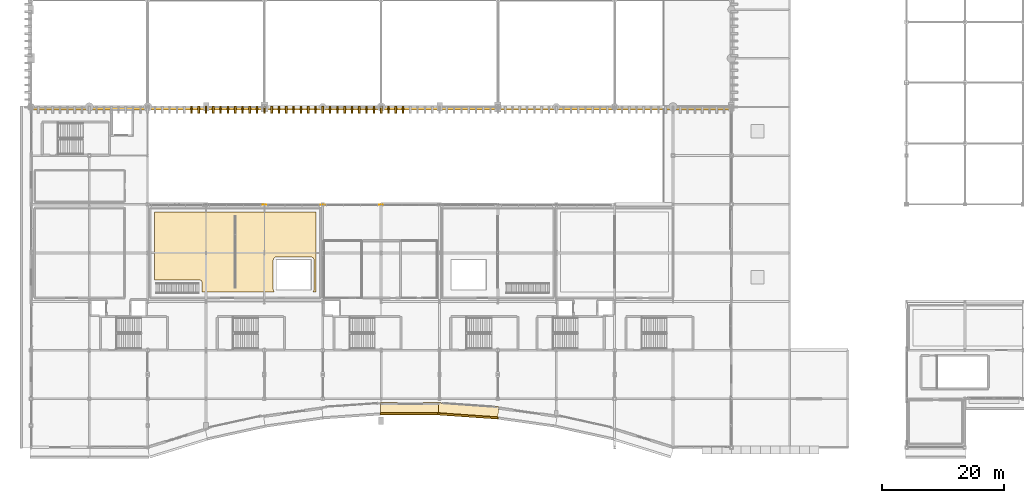
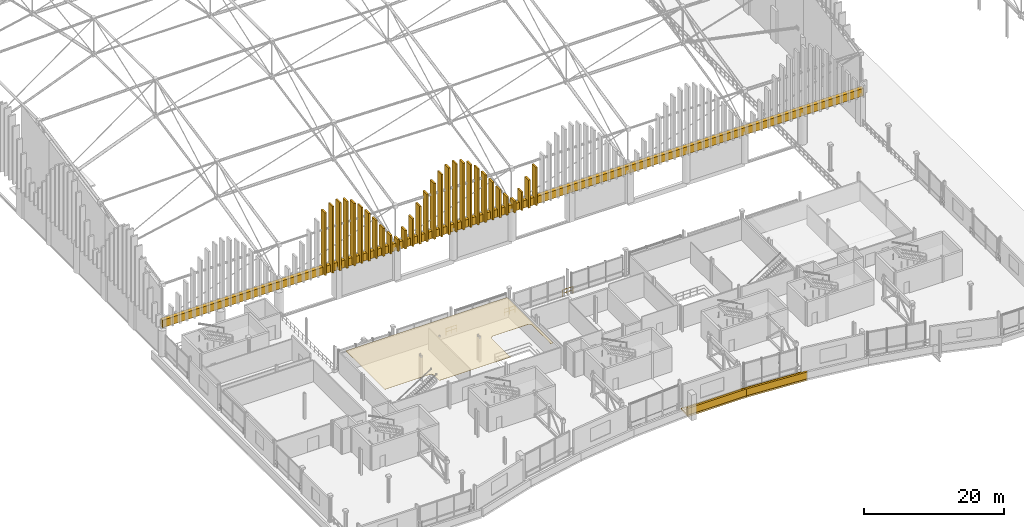
# One storey, part 177 of 193: 36 coverings, 3 railings.
"""IFC4 building model written with IfcOpenShell, lengths in metres."""

from ifc_helpers import new_model, si_unit, direction, frame, origin, origin_2d, place, context, subcontext, project, spatial, polyline, rectangle, circle, outline, extrude, material, layer, layer_set, type_object, element, save


model = new_model("IFC4")

# Units and contexts
model_context = context("Model", 3, precision=1e-05, world=origin(), true_north=direction((0.0, 1.0)))
body_context = subcontext(model_context, "Body", "Model", "MODEL_VIEW")
ifc_project = project(units=[si_unit("LENGTHUNIT", "METRE"), si_unit("AREAUNIT", "SQUARE_METRE"), si_unit("VOLUMEUNIT", "CUBIC_METRE"), si_unit("PLANEANGLEUNIT", "RADIAN"), si_unit("MASSUNIT", "GRAM", prefix="KILO")], contexts=[model_context])

# Site, building, storey
site_placement = place(None, origin())
site = spatial("IfcSite", under=ifc_project, at=site_placement, CompositionType="ELEMENT")
building_placement = place(site_placement, origin())
building = spatial("IfcBuilding", under=site, at=building_placement, Name="Danafjord Basin Convention Centre", CompositionType="ELEMENT")
storey_placement = place(building_placement, frame((0.0, 0.0, 11.39990234375)))
storey = spatial("IfcBuildingStorey", under=building, at=storey_placement, Name="L02", CompositionType="ELEMENT", Elevation=11.39990234375)

# Coverings
ifc_material_1 = material(Name="Architectural white precast concrete C45/55", Category="concrete")
ifc_layer_1 = layer(ifc_material_1, 0.320068359375)
ifc_layer_set_1 = layer_set([ifc_layer_1], Name="Architectural white precast concrete C45/55")
covering_type_1 = type_object("IfcCoveringType", Name="COV-BAND-HORIZ", PredefinedType="CLADDING", material=ifc_layer_set_1)
covering_1_placement = place(storey_placement, frame((57.60009765625, 55.840087890625, 5.0), z_axis=(0.0, 0.0, 1.0), x_axis=(1.0, 0.0, 0.0)))
element("IfcCovering", 1, at=covering_1_placement, inside=storey, type_object=covering_type_1, Name="V1 S mountain-ridge fin screen structural carrier fascia", PredefinedType="CLADDING", context=body_context, shape_type="SweptSolid", body=[
    extrude(rectangle(XDim=115.60009765625, YDim=0.6201171875, at=origin_2d()), origin(), (0.0, 0.0, 1.0), 1.300048828125),
])
covering_2_placement = place(storey_placement, frame((62.39990234375, 6.342041015625, -0.27978515625), z_axis=(0.0, 0.0, 1.0), x_axis=(1.0, 0.0, 0.0)))
element("IfcCovering", 2, at=covering_2_placement, inside=storey, type_object=covering_type_1, Name="L02 stepped horizontal band soffit plate 19", PredefinedType="CLADDING", context=body_context, shape_type="SweptSolid", body=[
    extrude(rectangle(XDim=9.840087890625, YDim=2.050048828125, at=origin_2d()), origin(), (0.0, 0.0, 1.0), 0.280029296875),
])
covering_3_placement = place(storey_placement, frame((62.39990234375, 5.507080078125, -0.23974609375), z_axis=(0.0, 0.0, 1.0), x_axis=(1.0, 0.0, 0.0)))
element("IfcCovering", 3, at=covering_3_placement, inside=storey, type_object=covering_type_1, Name="L02 layered horizontal white spandrel band 19", PredefinedType="CLADDING", context=body_context, shape_type="SweptSolid", body=[
    extrude(rectangle(XDim=9.8798828125, YDim=0.320068359375, at=origin_2d()), origin(), (0.0, 0.0, 1.0), 1.419921875),
])
covering_4_placement = place(storey_placement, frame((71.9462890625, 6.011474609375, -0.27978515625), z_axis=(0.0, 0.0, 1.0), x_axis=(0.997609375858, -0.069105232798, 0.0)))
element("IfcCovering", 4, at=covering_4_placement, inside=storey, type_object=covering_type_1, Name="L02 stepped horizontal band soffit plate 20", PredefinedType="CLADDING", context=body_context, shape_type="SweptSolid", body=[
    extrude(rectangle(XDim=9.863037109375, YDim=2.050048828125, at=origin_2d()), origin(), (0.0, 0.0, 1.0), 0.280029296875),
])
covering_5_placement = place(storey_placement, frame((71.888671875, 5.17822265625, -0.23974609375), z_axis=(0.0, 0.0, 1.0), x_axis=(0.997609375858, -0.069105232798, 0.0)))
element("IfcCovering", 5, at=covering_5_placement, inside=storey, type_object=covering_type_1, Name="L02 layered horizontal white spandrel band 20", PredefinedType="CLADDING", context=body_context, shape_type="SweptSolid", body=[
    extrude(rectangle(XDim=9.903076171875, YDim=0.320068359375, at=origin_2d()), origin(), (0.0, 0.0, 1.0), 1.419921875),
])
ifc_material_2 = material(Name="Perforated Nordic birch acoustic slats")
ifc_layer_2 = layer(ifc_material_2, 0.0400390625)
ifc_layer_set_2 = layer_set([ifc_layer_2], Name="Perforated Nordic birch acoustic slats")
covering_type_2 = type_object("IfcCoveringType", Name="COV-CLG-AC01", PredefinedType="CEILING", material=ifc_layer_set_2)
covering_6_placement = place(storey_placement, frame((0.0, 0.0, 3.989990234375)))
element("IfcCovering", 6, at=covering_6_placement, inside=storey, type_object=covering_type_2, Name="Subdivisible Conference Hall C202 acoustic ceiling", PredefinedType="CEILING", context=body_context, shape_type="SweptSolid", body=[
    extrude(outline(polyline([(46.89990234375, 38.699951171875), (46.89990234375, 25.590087890625), (46.365966796875, 25.590087890625), (46.388916015625, 25.611083984375), (46.425048828125, 25.65087890625), (46.45703125, 25.694091796875), (46.485107421875, 25.740966796875), (46.508056640625, 25.7900390625), (46.52587890625, 25.840087890625), (46.5390625, 25.89306640625), (46.547119140625, 25.946044921875), (46.550048828125, 26.0), (46.550048828125, 30.800048828125), (46.547119140625, 30.85400390625), (46.5390625, 30.906982421875), (46.52587890625, 30.9599609375), (46.508056640625, 31.010009765625), (46.485107421875, 31.05908203125), (46.45703125, 31.10595703125), (46.425048828125, 31.14892578125), (46.388916015625, 31.18896484375), (46.34912109375, 31.22509765625), (46.305908203125, 31.257080078125), (46.259033203125, 31.284912109375), (46.2099609375, 31.30810546875), (46.159912109375, 31.325927734375), (46.10693359375, 31.339111328125), (46.053955078125, 31.346923828125), (46.0, 31.35009765625), (40.39990234375, 31.35009765625), (40.345947265625, 31.346923828125), (40.29296875, 31.339111328125), (40.239990234375, 31.325927734375), (40.18994140625, 31.30810546875), (40.14111328125, 31.284912109375), (40.093994140625, 31.257080078125), (40.051025390625, 31.22509765625), (40.010986328125, 31.18896484375), (39.97509765625, 31.14892578125), (39.943115234375, 31.10595703125), (39.9150390625, 31.05908203125), (39.89208984375, 31.010009765625), (39.8740234375, 30.9599609375), (39.861083984375, 30.906982421875), (39.85302734375, 30.85400390625), (39.85009765625, 30.800048828125), (39.85009765625, 26.0), (39.85302734375, 25.946044921875), (39.861083984375, 25.89306640625), (39.8740234375, 25.840087890625), (39.89208984375, 25.7900390625), (39.9150390625, 25.740966796875), (39.943115234375, 25.694091796875), (39.97509765625, 25.65087890625), (40.010986328125, 25.611083984375), (40.033935546875, 25.590087890625), (28.14990234375, 25.590087890625), (28.14990234375, 27.02490234375), (28.14697265625, 27.0791015625), (28.138916015625, 27.132080078125), (28.1259765625, 27.18505859375), (28.10791015625, 27.235107421875), (28.0849609375, 27.283935546875), (28.056884765625, 27.3310546875), (28.050048828125, 27.340087890625), (28.050048828125, 27.47509765625), (27.9150390625, 27.47509765625), (27.906005859375, 27.48193359375), (27.85888671875, 27.510009765625), (27.81005859375, 27.532958984375), (27.760009765625, 27.551025390625), (27.70703125, 27.56396484375), (27.654052734375, 27.572021484375), (27.60009765625, 27.574951171875), (20.60009765625, 27.574951171875), (20.5458984375, 27.572021484375), (20.492919921875, 27.56396484375), (20.43994140625, 27.551025390625), (20.389892578125, 27.532958984375), (20.341064453125, 27.510009765625), (20.300048828125, 27.486083984375), (20.300048828125, 38.699951171875), (46.89990234375, 38.699951171875)])), origin(), (0.0, 0.0, 1.0), 0.0400390625),
])
ifc_layer_3 = layer(ifc_material_1, 0.280029296875)
ifc_layer_set_3 = layer_set([ifc_layer_3], Name="Architectural white precast concrete C45/55")
covering_type_3 = type_object("IfcCoveringType", Name="COV-FIN-RIDGE", PredefinedType="CLADDING", material=ifc_layer_set_3)
covering_7_placement = place(storey_placement, frame((26.39990234375, 55.550048828125, 5.150146484375), z_axis=(0.0, 0.0, 1.0), x_axis=(0.0, 1.0, 0.0)))
element("IfcCovering", 7, at=covering_7_placement, inside=storey, type_object=covering_type_3, Name="V1 S white vertical mountain-ridge fin 23", PredefinedType="CLADDING", context=body_context, shape_type="SweptSolid", body=[
    extrude(rectangle(XDim=1.139892578125, YDim=0.280029296875, at=origin_2d()), origin(), (0.0, 0.0, 1.0), 10.8916015625),
])
covering_8_placement = place(storey_placement, frame((27.60009765625, 55.550048828125, 5.14990234375), z_axis=(0.0, 0.0, 1.0), x_axis=(0.0, 1.0, 0.0)))
element("IfcCovering", 8, at=covering_8_placement, inside=storey, type_object=covering_type_3, Name="V1 S white vertical mountain-ridge fin 24", PredefinedType="CLADDING", context=body_context, shape_type="SweptSolid", body=[
    extrude(rectangle(XDim=1.139892578125, YDim=0.280029296875, at=origin_2d()), origin(), (0.0, 0.0, 1.0), 11.60595703125),
])
covering_9_placement = place(storey_placement, frame((28.800048828125, 55.550048828125, 5.150146484375), z_axis=(0.0, 0.0, 1.0), x_axis=(0.0, 1.0, 0.0)))
element("IfcCovering", 9, at=covering_9_placement, inside=storey, type_object=covering_type_3, Name="V1 S white vertical mountain-ridge fin 25", PredefinedType="CLADDING", context=body_context, shape_type="SweptSolid", body=[
    extrude(rectangle(XDim=1.139892578125, YDim=0.280029296875, at=origin_2d()), origin(), (0.0, 0.0, 1.0), 11.85009765625),
])
covering_10_placement = place(storey_placement, frame((30.0, 55.550048828125, 5.14990234375), z_axis=(0.0, 0.0, 1.0), x_axis=(0.0, 1.0, 0.0)))
element("IfcCovering", 10, at=covering_10_placement, inside=storey, type_object=covering_type_3, Name="V1 S white vertical mountain-ridge fin 26", PredefinedType="CLADDING", context=body_context, shape_type="SweptSolid", body=[
    extrude(rectangle(XDim=1.139892578125, YDim=0.280029296875, at=origin_2d()), origin(), (0.0, 0.0, 1.0), 11.60595703125),
])
covering_11_placement = place(storey_placement, frame((31.199951171875, 55.550048828125, 5.150146484375), z_axis=(0.0, 0.0, 1.0), x_axis=(0.0, 1.0, 0.0)))
element("IfcCovering", 11, at=covering_11_placement, inside=storey, type_object=covering_type_3, Name="V1 S white vertical mountain-ridge fin 27", PredefinedType="CLADDING", context=body_context, shape_type="SweptSolid", body=[
    extrude(rectangle(XDim=1.139892578125, YDim=0.280029296875, at=origin_2d()), origin(), (0.0, 0.0, 1.0), 10.8916015625),
])
covering_12_placement = place(storey_placement, frame((32.39990234375, 55.550048828125, 5.14990234375), z_axis=(0.0, 0.0, 1.0), x_axis=(0.0, 1.0, 0.0)))
element("IfcCovering", 12, at=covering_12_placement, inside=storey, type_object=covering_type_3, Name="V1 S white vertical mountain-ridge fin 28", PredefinedType="CLADDING", context=body_context, shape_type="SweptSolid", body=[
    extrude(rectangle(XDim=1.139892578125, YDim=0.280029296875, at=origin_2d()), origin(), (0.0, 0.0, 1.0), 9.759521484375),
])
covering_13_placement = place(storey_placement, frame((33.60009765625, 55.550048828125, 5.150146484375), z_axis=(0.0, 0.0, 1.0), x_axis=(0.0, 1.0, 0.0)))
element("IfcCovering", 13, at=covering_13_placement, inside=storey, type_object=covering_type_3, Name="V1 S white vertical mountain-ridge fin 29", PredefinedType="CLADDING", context=body_context, shape_type="SweptSolid", body=[
    extrude(rectangle(XDim=1.139892578125, YDim=0.280029296875, at=origin_2d()), origin(), (0.0, 0.0, 1.0), 8.29541015625),
])
covering_14_placement = place(storey_placement, frame((34.800048828125, 55.550048828125, 5.14990234375), z_axis=(0.0, 0.0, 1.0), x_axis=(0.0, 1.0, 0.0)))
element("IfcCovering", 14, at=covering_14_placement, inside=storey, type_object=covering_type_3, Name="V1 S white vertical mountain-ridge fin 30", PredefinedType="CLADDING", context=body_context, shape_type="SweptSolid", body=[
    extrude(rectangle(XDim=1.139892578125, YDim=0.280029296875, at=origin_2d()), origin(), (0.0, 0.0, 1.0), 6.614501953125),
])
covering_15_placement = place(storey_placement, frame((36.0, 55.550048828125, 5.150146484375), z_axis=(0.0, 0.0, 1.0), x_axis=(0.0, 1.0, 0.0)))
element("IfcCovering", 15, at=covering_15_placement, inside=storey, type_object=covering_type_3, Name="V1 S white vertical mountain-ridge fin 31", PredefinedType="CLADDING", context=body_context, shape_type="SweptSolid", body=[
    extrude(rectangle(XDim=1.139892578125, YDim=0.280029296875, at=origin_2d()), origin(), (0.0, 0.0, 1.0), 4.861328125),
])
covering_16_placement = place(storey_placement, frame((37.199951171875, 55.550048828125, 5.14990234375), z_axis=(0.0, 0.0, 1.0), x_axis=(0.0, 1.0, 0.0)))
element("IfcCovering", 16, at=covering_16_placement, inside=storey, type_object=covering_type_3, Name="V1 S white vertical mountain-ridge fin 32", PredefinedType="CLADDING", context=body_context, shape_type="SweptSolid", body=[
    extrude(rectangle(XDim=1.139892578125, YDim=0.280029296875, at=origin_2d()), origin(), (0.0, 0.0, 1.0), 3.220947265625),
])
covering_17_placement = place(storey_placement, frame((38.39990234375, 55.550048828125, 5.14990234375), z_axis=(0.0, 0.0, 1.0), x_axis=(0.0, 1.0, 0.0)))
element("IfcCovering", 17, at=covering_17_placement, inside=storey, type_object=covering_type_3, Name="V1 S white vertical mountain-ridge fin 33", PredefinedType="CLADDING", context=body_context, shape_type="SweptSolid", body=[
    extrude(rectangle(XDim=1.139892578125, YDim=0.280029296875, at=origin_2d()), origin(), (0.0, 0.0, 1.0), 2.050048828125),
])
covering_18_placement = place(storey_placement, frame((39.60009765625, 55.550048828125, 5.14990234375), z_axis=(0.0, 0.0, 1.0), x_axis=(0.0, 1.0, 0.0)))
element("IfcCovering", 18, at=covering_18_placement, inside=storey, type_object=covering_type_3, Name="V1 S white vertical mountain-ridge fin 34", PredefinedType="CLADDING", context=body_context, shape_type="SweptSolid", body=[
    extrude(rectangle(XDim=1.139892578125, YDim=0.280029296875, at=origin_2d()), origin(), (0.0, 0.0, 1.0), 3.220947265625),
])
covering_19_placement = place(storey_placement, frame((40.800048828125, 55.550048828125, 5.150146484375), z_axis=(0.0, 0.0, 1.0), x_axis=(0.0, 1.0, 0.0)))
element("IfcCovering", 19, at=covering_19_placement, inside=storey, type_object=covering_type_3, Name="V1 S white vertical mountain-ridge fin 35", PredefinedType="CLADDING", context=body_context, shape_type="SweptSolid", body=[
    extrude(rectangle(XDim=1.139892578125, YDim=0.280029296875, at=origin_2d()), origin(), (0.0, 0.0, 1.0), 4.861328125),
])
covering_20_placement = place(storey_placement, frame((42.0, 55.550048828125, 5.14990234375), z_axis=(0.0, 0.0, 1.0), x_axis=(0.0, 1.0, 0.0)))
element("IfcCovering", 20, at=covering_20_placement, inside=storey, type_object=covering_type_3, Name="V1 S white vertical mountain-ridge fin 36", PredefinedType="CLADDING", context=body_context, shape_type="SweptSolid", body=[
    extrude(rectangle(XDim=1.139892578125, YDim=0.280029296875, at=origin_2d()), origin(), (0.0, 0.0, 1.0), 6.614501953125),
])
covering_21_placement = place(storey_placement, frame((43.199951171875, 55.550048828125, 5.150146484375), z_axis=(0.0, 0.0, 1.0), x_axis=(0.0, 1.0, 0.0)))
element("IfcCovering", 21, at=covering_21_placement, inside=storey, type_object=covering_type_3, Name="V1 S white vertical mountain-ridge fin 37", PredefinedType="CLADDING", context=body_context, shape_type="SweptSolid", body=[
    extrude(rectangle(XDim=1.139892578125, YDim=0.280029296875, at=origin_2d()), origin(), (0.0, 0.0, 1.0), 8.29541015625),
])
covering_22_placement = place(storey_placement, frame((44.39990234375, 55.550048828125, 5.14990234375), z_axis=(0.0, 0.0, 1.0), x_axis=(0.0, 1.0, 0.0)))
element("IfcCovering", 22, at=covering_22_placement, inside=storey, type_object=covering_type_3, Name="V1 S white vertical mountain-ridge fin 38", PredefinedType="CLADDING", context=body_context, shape_type="SweptSolid", body=[
    extrude(rectangle(XDim=1.139892578125, YDim=0.280029296875, at=origin_2d()), origin(), (0.0, 0.0, 1.0), 9.759521484375),
])
covering_23_placement = place(storey_placement, frame((45.60009765625, 55.550048828125, 5.150146484375), z_axis=(0.0, 0.0, 1.0), x_axis=(0.0, 1.0, 0.0)))
element("IfcCovering", 23, at=covering_23_placement, inside=storey, type_object=covering_type_3, Name="V1 S white vertical mountain-ridge fin 39", PredefinedType="CLADDING", context=body_context, shape_type="SweptSolid", body=[
    extrude(rectangle(XDim=1.139892578125, YDim=0.280029296875, at=origin_2d()), origin(), (0.0, 0.0, 1.0), 10.8916015625),
])
covering_24_placement = place(storey_placement, frame((46.800048828125, 55.550048828125, 5.14990234375), z_axis=(0.0, 0.0, 1.0), x_axis=(0.0, 1.0, 0.0)))
element("IfcCovering", 24, at=covering_24_placement, inside=storey, type_object=covering_type_3, Name="V1 S white vertical mountain-ridge fin 40", PredefinedType="CLADDING", context=body_context, shape_type="SweptSolid", body=[
    extrude(rectangle(XDim=1.139892578125, YDim=0.280029296875, at=origin_2d()), origin(), (0.0, 0.0, 1.0), 11.60595703125),
])
covering_25_placement = place(storey_placement, frame((48.0, 55.550048828125, 5.150146484375), z_axis=(0.0, 0.0, 1.0), x_axis=(0.0, 1.0, 0.0)))
element("IfcCovering", 25, at=covering_25_placement, inside=storey, type_object=covering_type_3, Name="V1 S white vertical mountain-ridge fin 41", PredefinedType="CLADDING", context=body_context, shape_type="SweptSolid", body=[
    extrude(rectangle(XDim=1.139892578125, YDim=0.280029296875, at=origin_2d()), origin(), (0.0, 0.0, 1.0), 11.85009765625),
])
covering_26_placement = place(storey_placement, frame((49.199951171875, 55.550048828125, 5.14990234375), z_axis=(0.0, 0.0, 1.0), x_axis=(0.0, 1.0, 0.0)))
element("IfcCovering", 26, at=covering_26_placement, inside=storey, type_object=covering_type_3, Name="V1 S white vertical mountain-ridge fin 42", PredefinedType="CLADDING", context=body_context, shape_type="SweptSolid", body=[
    extrude(rectangle(XDim=1.139892578125, YDim=0.280029296875, at=origin_2d()), origin(), (0.0, 0.0, 1.0), 11.60595703125),
])
covering_27_placement = place(storey_placement, frame((50.39990234375, 55.550048828125, 5.150146484375), z_axis=(0.0, 0.0, 1.0), x_axis=(0.0, 1.0, 0.0)))
element("IfcCovering", 27, at=covering_27_placement, inside=storey, type_object=covering_type_3, Name="V1 S white vertical mountain-ridge fin 43", PredefinedType="CLADDING", context=body_context, shape_type="SweptSolid", body=[
    extrude(rectangle(XDim=1.139892578125, YDim=0.280029296875, at=origin_2d()), origin(), (0.0, 0.0, 1.0), 10.8916015625),
])
covering_28_placement = place(storey_placement, frame((51.60009765625, 55.550048828125, 5.14990234375), z_axis=(0.0, 0.0, 1.0), x_axis=(0.0, 1.0, 0.0)))
element("IfcCovering", 28, at=covering_28_placement, inside=storey, type_object=covering_type_3, Name="V1 S white vertical mountain-ridge fin 44", PredefinedType="CLADDING", context=body_context, shape_type="SweptSolid", body=[
    extrude(rectangle(XDim=1.139892578125, YDim=0.280029296875, at=origin_2d()), origin(), (0.0, 0.0, 1.0), 9.759521484375),
])
covering_29_placement = place(storey_placement, frame((52.800048828125, 55.550048828125, 5.150146484375), z_axis=(0.0, 0.0, 1.0), x_axis=(0.0, 1.0, 0.0)))
element("IfcCovering", 29, at=covering_29_placement, inside=storey, type_object=covering_type_3, Name="V1 S white vertical mountain-ridge fin 45", PredefinedType="CLADDING", context=body_context, shape_type="SweptSolid", body=[
    extrude(rectangle(XDim=1.139892578125, YDim=0.280029296875, at=origin_2d()), origin(), (0.0, 0.0, 1.0), 8.29541015625),
])
covering_30_placement = place(storey_placement, frame((54.0, 55.550048828125, 5.14990234375), z_axis=(0.0, 0.0, 1.0), x_axis=(0.0, 1.0, 0.0)))
element("IfcCovering", 30, at=covering_30_placement, inside=storey, type_object=covering_type_3, Name="V1 S white vertical mountain-ridge fin 46", PredefinedType="CLADDING", context=body_context, shape_type="SweptSolid", body=[
    extrude(rectangle(XDim=1.139892578125, YDim=0.280029296875, at=origin_2d()), origin(), (0.0, 0.0, 1.0), 6.614501953125),
])
covering_31_placement = place(storey_placement, frame((55.199951171875, 55.550048828125, 5.150146484375), z_axis=(0.0, 0.0, 1.0), x_axis=(0.0, 1.0, 0.0)))
element("IfcCovering", 31, at=covering_31_placement, inside=storey, type_object=covering_type_3, Name="V1 S white vertical mountain-ridge fin 47", PredefinedType="CLADDING", context=body_context, shape_type="SweptSolid", body=[
    extrude(rectangle(XDim=1.139892578125, YDim=0.280029296875, at=origin_2d()), origin(), (0.0, 0.0, 1.0), 4.861328125),
])
covering_32_placement = place(storey_placement, frame((56.39990234375, 55.550048828125, 5.14990234375), z_axis=(0.0, 0.0, 1.0), x_axis=(0.0, 1.0, 0.0)))
element("IfcCovering", 32, at=covering_32_placement, inside=storey, type_object=covering_type_3, Name="V1 S white vertical mountain-ridge fin 48", PredefinedType="CLADDING", context=body_context, shape_type="SweptSolid", body=[
    extrude(rectangle(XDim=1.139892578125, YDim=0.280029296875, at=origin_2d()), origin(), (0.0, 0.0, 1.0), 3.220947265625),
])
covering_33_placement = place(storey_placement, frame((57.60009765625, 55.550048828125, 5.14990234375), z_axis=(0.0, 0.0, 1.0), x_axis=(0.0, 1.0, 0.0)))
element("IfcCovering", 33, at=covering_33_placement, inside=storey, type_object=covering_type_3, Name="V1 S white vertical mountain-ridge fin 49", PredefinedType="CLADDING", context=body_context, shape_type="SweptSolid", body=[
    extrude(rectangle(XDim=1.139892578125, YDim=0.280029296875, at=origin_2d()), origin(), (0.0, 0.0, 1.0), 2.050048828125),
])
covering_34_placement = place(storey_placement, frame((58.800048828125, 55.550048828125, 5.14990234375), z_axis=(0.0, 0.0, 1.0), x_axis=(0.0, 1.0, 0.0)))
element("IfcCovering", 34, at=covering_34_placement, inside=storey, type_object=covering_type_3, Name="V1 S white vertical mountain-ridge fin 50", PredefinedType="CLADDING", context=body_context, shape_type="SweptSolid", body=[
    extrude(rectangle(XDim=1.139892578125, YDim=0.280029296875, at=origin_2d()), origin(), (0.0, 0.0, 1.0), 3.220947265625),
])
covering_35_placement = place(storey_placement, frame((60.0, 55.550048828125, 5.150146484375), z_axis=(0.0, 0.0, 1.0), x_axis=(0.0, 1.0, 0.0)))
element("IfcCovering", 35, at=covering_35_placement, inside=storey, type_object=covering_type_3, Name="V1 S white vertical mountain-ridge fin 51", PredefinedType="CLADDING", context=body_context, shape_type="SweptSolid", body=[
    extrude(rectangle(XDim=1.139892578125, YDim=0.280029296875, at=origin_2d()), origin(), (0.0, 0.0, 1.0), 4.861328125),
])
covering_36_placement = place(storey_placement, frame((61.199951171875, 55.550048828125, 5.14990234375), z_axis=(0.0, 0.0, 1.0), x_axis=(0.0, 1.0, 0.0)))
element("IfcCovering", 36, at=covering_36_placement, inside=storey, type_object=covering_type_3, Name="V1 S white vertical mountain-ridge fin 52", PredefinedType="CLADDING", context=body_context, shape_type="SweptSolid", body=[
    extrude(rectangle(XDim=1.139892578125, YDim=0.280029296875, at=origin_2d()), origin(), (0.0, 0.0, 1.0), 6.614501953125),
])

# Railings
ifc_material_3 = material(Name="Laminated structural glass and stainless steel", Category="steel")
railing_type = type_object("IfcRailingType", Name="RL-BAL-GLS", PredefinedType="BALUSTRADE", material=ifc_material_3)
railing_1_placement = place(storey_placement, frame((37.52001953125, 39.919921875, 0.0)))
element("IfcRailing", 37, at=railing_1_placement, inside=storey, type_object=railing_type, Name="L02 safety guard balustrade 193", PredefinedType="BALUSTRADE", context=body_context, shape_type="SweptSolid", body=[
    extrude(circle(Radius=0.02392578125, at=origin_2d()), frame((0.0, 0.0, 1.1259765625), z_axis=(1.0, 0.0, 0.0), x_axis=(0.0, 1.0, 0.0)), (0.0, 0.0, 1.0), 1.760009765625),
    extrude(circle(Radius=0.02392578125, at=origin_2d()), frame((0.0, 0.0, 0.55078125), z_axis=(1.0, 0.0, 0.0), x_axis=(0.0, 1.0, 0.0)), (0.0, 0.0, 1.0), 1.760009765625),
    extrude(circle(Radius=0.02099609375, at=origin_2d()), origin(), (0.0, 0.0, 1.0), 1.099853515625),
    extrude(circle(Radius=0.02099609375, at=origin_2d()), frame((0.8798828125, 0.0, 0.0)), (0.0, 0.0, 1.0), 1.099853515625),
    extrude(circle(Radius=0.02099609375, at=origin_2d()), frame((1.760009765625, 0.0, 0.0)), (0.0, 0.0, 1.0), 1.099853515625),
])
railing_2_placement = place(storey_placement, frame((47.1201171875, 39.919921875, 0.0)))
element("IfcRailing", 38, at=railing_2_placement, inside=storey, type_object=railing_type, Name="L02 safety guard balustrade 194", PredefinedType="BALUSTRADE", context=body_context, shape_type="SweptSolid", body=[
    extrude(circle(Radius=0.02392578125, at=origin_2d()), frame((0.0, 0.0, 1.1259765625), z_axis=(1.0, 0.0, 0.0), x_axis=(0.0, 1.0, 0.0)), (0.0, 0.0, 1.0), 1.759765625),
    extrude(circle(Radius=0.02392578125, at=origin_2d()), frame((0.0, 0.0, 0.55078125), z_axis=(1.0, 0.0, 0.0), x_axis=(0.0, 1.0, 0.0)), (0.0, 0.0, 1.0), 1.759765625),
    extrude(circle(Radius=0.02099609375, at=origin_2d()), origin(), (0.0, 0.0, 1.0), 1.099853515625),
    extrude(circle(Radius=0.02099609375, at=origin_2d()), frame((0.8798828125, 0.0, 0.0)), (0.0, 0.0, 1.0), 1.099853515625),
    extrude(circle(Radius=0.02099609375, at=origin_2d()), frame((1.759765625, 0.0, 0.0)), (0.0, 0.0, 1.0), 1.099853515625),
])
railing_3_placement = place(storey_placement, frame((56.719970703125, 39.919921875, 0.0)))
element("IfcRailing", 39, at=railing_3_placement, inside=storey, type_object=railing_type, Name="L02 safety guard balustrade 195", PredefinedType="BALUSTRADE", context=body_context, shape_type="SweptSolid", body=[
    extrude(circle(Radius=0.02392578125, at=origin_2d()), frame((0.0, 0.0, 1.1259765625), z_axis=(1.0, 0.0, 0.0), x_axis=(0.0, 1.0, 0.0)), (0.0, 0.0, 1.0), 1.760009765625),
    extrude(circle(Radius=0.02392578125, at=origin_2d()), frame((0.0, 0.0, 0.55078125), z_axis=(1.0, 0.0, 0.0), x_axis=(0.0, 1.0, 0.0)), (0.0, 0.0, 1.0), 1.760009765625),
    extrude(circle(Radius=0.02099609375, at=origin_2d()), origin(), (0.0, 0.0, 1.0), 1.099853515625),
    extrude(circle(Radius=0.02099609375, at=origin_2d()), frame((0.8798828125, 0.0, 0.0)), (0.0, 0.0, 1.0), 1.099853515625),
    extrude(circle(Radius=0.02099609375, at=origin_2d()), frame((1.760009765625, 0.0, 0.0)), (0.0, 0.0, 1.0), 1.099853515625),
])

save(model, "model.ifc")
